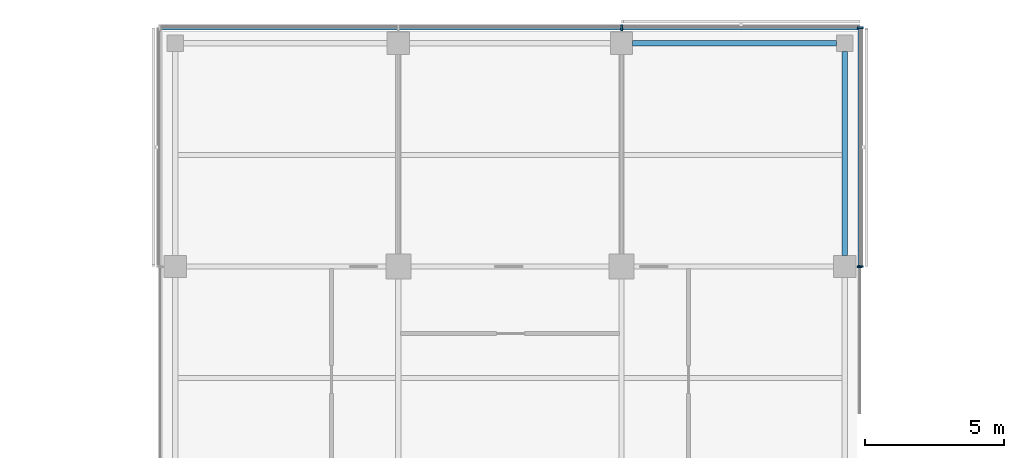
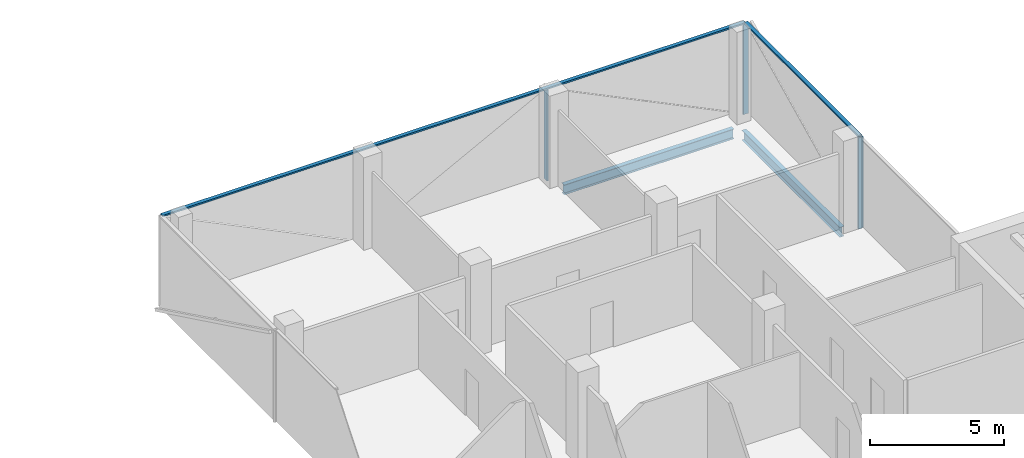
# One storey, part 9 of 18: 6 members, 2 beams, 3 elements without a shape of their own.
"""IFC4 building model written with IfcOpenShell, lengths in metres."""

from ifc_helpers import new_model, si_unit, direction, frame, origin, origin_2d, place, context, subcontext, project, spatial, rectangle, i_section, extrude, material, material_profile, profile_set, type_object, element, aggregate, save


model = new_model("IFC4")

# Units and contexts
model_context = context("Model", 3, precision=1e-05, world=origin(), true_north=direction((0.0, 1.0)))
body_context = subcontext(model_context, "Body", "Model", "MODEL_VIEW")
ifc_project = project(units=[si_unit("LENGTHUNIT", "METRE"), si_unit("AREAUNIT", "SQUARE_METRE"), si_unit("VOLUMEUNIT", "CUBIC_METRE"), si_unit("PLANEANGLEUNIT", "RADIAN"), si_unit("MASSUNIT", "GRAM", prefix="KILO")], contexts=[model_context])

# Site, building, storey
site_placement = place(None, origin())
site = spatial("IfcSite", under=ifc_project, at=site_placement, CompositionType="ELEMENT")
building_placement = place(site_placement, origin())
building = spatial("IfcBuilding", under=site, at=building_placement, Name="Crosswind Convention Tower", CompositionType="ELEMENT")
storey_placement = place(building_placement, frame((0.0, 0.0, 178.89990234375)))
storey = spatial("IfcBuildingStorey", under=building, at=storey_placement, Name="L37", CompositionType="ELEMENT", Elevation=178.89990234375)

# Beams
ifc_material_1 = material(Name="Steel S355", Category="steel")
ifc_material_profile_1 = material_profile(ifc_material_1, i_section(OverallWidth=0.18994140625, OverallDepth=0.45361328125, WebThickness=0.008544921875, FlangeThickness=0.0126953125, FilletRadius=0.01025390625, at=origin_2d()), Name="UB 457x191x67")
ifc_profile_set_1 = profile_set([ifc_material_profile_1], Name="Steel S355")
beam_type = type_object("IfcBeamType", Name="Edge beam UB 457x191x67", PredefinedType="SPANDREL", material=ifc_profile_set_1)
for number, where, z_axis, x_axis, name in (
    (1, (129.39990234375, 128.0, -0.526611328125), (1.0, 0.0, 0.0), (0.0, 1.0, 0.0), "B16 L37 edge beam 15"),
    (2, (137.0, 120.39990234375, -0.526611328125), (0.0, 1.0, 0.0), (-1.0, 0.0, 0.0), "B16 L37 edge beam 19"),
):
    element("IfcBeam", number, at=place(storey_placement, frame(where, z_axis=z_axis, x_axis=x_axis)), inside=storey, type_object=beam_type, Name=name, PredefinedType="SPANDREL", context=body_context, shape_type="SweptSolid", body=[
        extrude(i_section(OverallWidth=0.18994140625, OverallDepth=0.45361328125, WebThickness=0.008544921875, FlangeThickness=0.0126953125, FilletRadius=0.01025390625, at=origin_2d()), origin(), (0.0, 0.0, 1.0), 7.300048828125),
    ])

# Curtain wall, member
ifc_material_2 = material(Name="Aluminium unitised curtain wall", Category="aluminium")
curtain_wall_type_1 = type_object("IfcCurtainWallType", Name="CORE END SLOT WALL 160", PredefinedType="USERDEFINED", material=ifc_material_2)
curtain_wall_1_placement = place(storey_placement, origin())
curtain_wall_1 = element("IfcCurtainWall", 3, at=curtain_wall_1_placement, inside=storey, type_object=curtain_wall_type_1, Name="CW6 L37 N-E.1-1 slot", ObjectType="UNITISED", PredefinedType="USERDEFINED")
ifc_material_3 = material(Name="Aluminium mullion", Category="aluminium")
ifc_material_profile_2 = material_profile(ifc_material_3, rectangle(XDim=0.159912109375, YDim=0.050048828125, at=origin_2d()), Name="AL 160X50")
ifc_profile_set_2 = profile_set([ifc_material_profile_2], Name="Aluminium mullion")
member_type_1 = type_object("IfcMemberType", Name="MULLION 50X160", PredefinedType="MULLION", material=ifc_profile_set_2)
member_1_placement = place(storey_placement, frame((137.530029296875, 119.97509765625, -0.2998046875), z_axis=(0.0, 0.0, 1.0), x_axis=(1.0, 0.0, 0.0)))
member_1 = element("IfcMember", 4, at=member_1_placement, type_object=member_type_1, Name="CW6 mullion 2", PredefinedType="MULLION", context=body_context, shape_type="SweptSolid", body=[
    extrude(rectangle(XDim=0.159912109375, YDim=0.050048828125, at=origin_2d()), origin(), (0.0, 0.0, 1.0), 4.14990234375),
])
aggregate(curtain_wall_1, [member_1])

# Curtain wall, members
curtain_wall_type_2 = type_object("IfcCurtainWallType", Name="OFFICE UNITISED WALL 220", PredefinedType="USERDEFINED", material=ifc_material_2)
curtain_wall_2_placement = place(storey_placement, origin())
curtain_wall_2 = element("IfcCurtainWall", 5, at=curtain_wall_2_placement, inside=storey, type_object=curtain_wall_type_2, Name="CW3 L37 N-E 1", ObjectType="UNITISED", PredefinedType="USERDEFINED")
ifc_material_profile_3 = material_profile(ifc_material_3, rectangle(XDim=0.219970703125, YDim=0.070068359375, at=origin_2d()), Name="AL 220X70")
ifc_profile_set_3 = profile_set([ifc_material_profile_3], Name="Aluminium mullion")
member_type_2 = type_object("IfcMemberType", Name="MULLION 70X220", PredefinedType="MULLION", material=ifc_profile_set_3)
member_2_placement = place(storey_placement, frame((137.56005859375, 120.0, -0.2998046875), z_axis=(0.0, 0.0, 1.0), x_axis=(1.0, 0.0, 0.0)))
member_2 = element("IfcMember", 6, at=member_2_placement, type_object=member_type_2, Name="CW3 mullion 1", PredefinedType="MULLION", context=body_context, shape_type="SweptSolid", body=[
    extrude(rectangle(XDim=0.219970703125, YDim=0.070068359375, at=origin_2d()), origin(), (0.0, 0.0, 1.0), 4.1298828125),
])
member_3_placement = place(storey_placement, frame((137.56005859375, 128.56005859375, -0.2998046875), z_axis=(0.0, 0.0, 1.0), x_axis=(1.0, 0.0, 0.0)))
member_3 = element("IfcMember", 7, at=member_3_placement, type_object=member_type_2, Name="CW3 mullion 2", PredefinedType="MULLION", context=body_context, shape_type="SweptSolid", body=[
    extrude(rectangle(XDim=0.219970703125, YDim=0.070068359375, at=origin_2d()), origin(), (0.0, 0.0, 1.0), 4.1298828125),
])

# Curtain wall, member
curtain_wall_3_placement = place(storey_placement, origin())
curtain_wall_3 = element("IfcCurtainWall", 8, at=curtain_wall_3_placement, inside=storey, type_object=curtain_wall_type_2, Name="CW3 L37 N-TIP 1", ObjectType="UNITISED", PredefinedType="USERDEFINED")
member_4_placement = place(storey_placement, frame((129.0, 128.56005859375, -0.2998046875), z_axis=(0.0, 0.0, 1.0), x_axis=(0.0, 1.0, 0.0)))
member_4 = element("IfcMember", 9, at=member_4_placement, type_object=member_type_2, Name="CW3 mullion 2", PredefinedType="MULLION", context=body_context, shape_type="SweptSolid", body=[
    extrude(rectangle(XDim=0.219970703125, YDim=0.070068359375, at=origin_2d()), origin(), (0.0, 0.0, 1.0), 4.1298828125),
])

# Member
ifc_material_4 = material(Name="Aluminium transom", Category="aluminium")
ifc_material_profile_4 = material_profile(ifc_material_4, rectangle(XDim=0.159912109375, YDim=0.070068359375, at=origin_2d()), Name="AL 160X70")
ifc_profile_set_4 = profile_set([ifc_material_profile_4], Name="Aluminium transom")
member_type_3 = type_object("IfcMemberType", Name="TRANSOM 70X160", PredefinedType="USERDEFINED", material=ifc_profile_set_4)
member_5_placement = place(storey_placement, frame((137.56005859375, 120.034912109375, 3.864990234375), z_axis=(0.0, 1.0, 0.0), x_axis=(-1.0, 0.0, 0.0)))
member_5 = element("IfcMember", 10, at=member_5_placement, type_object=member_type_3, Name="CW3 transom", ObjectType="TRANSOM", PredefinedType="USERDEFINED", context=body_context, shape_type="SweptSolid", body=[
    extrude(rectangle(XDim=0.159912109375, YDim=0.070068359375, at=origin_2d()), origin(), (0.0, 0.0, 1.0), 8.489990234375),
])

aggregate(curtain_wall_2, [member_2, member_3, member_5])

member_6_placement = place(storey_placement, frame((137.52490234375, 128.56005859375, 3.864990234375), z_axis=(-1.0, 0.0, 0.0), x_axis=(0.0, -1.0, 0.0)))
member_6 = element("IfcMember", 11, at=member_6_placement, type_object=member_type_3, Name="CW3 transom", ObjectType="TRANSOM", PredefinedType="USERDEFINED", context=body_context, shape_type="SweptSolid", body=[
    extrude(rectangle(XDim=0.159912109375, YDim=0.070068359375, at=origin_2d()), origin(), (0.0, 0.0, 1.0), 25.0498046875),
])

aggregate(curtain_wall_3, [member_4, member_6])

save(model, "model.ifc")
